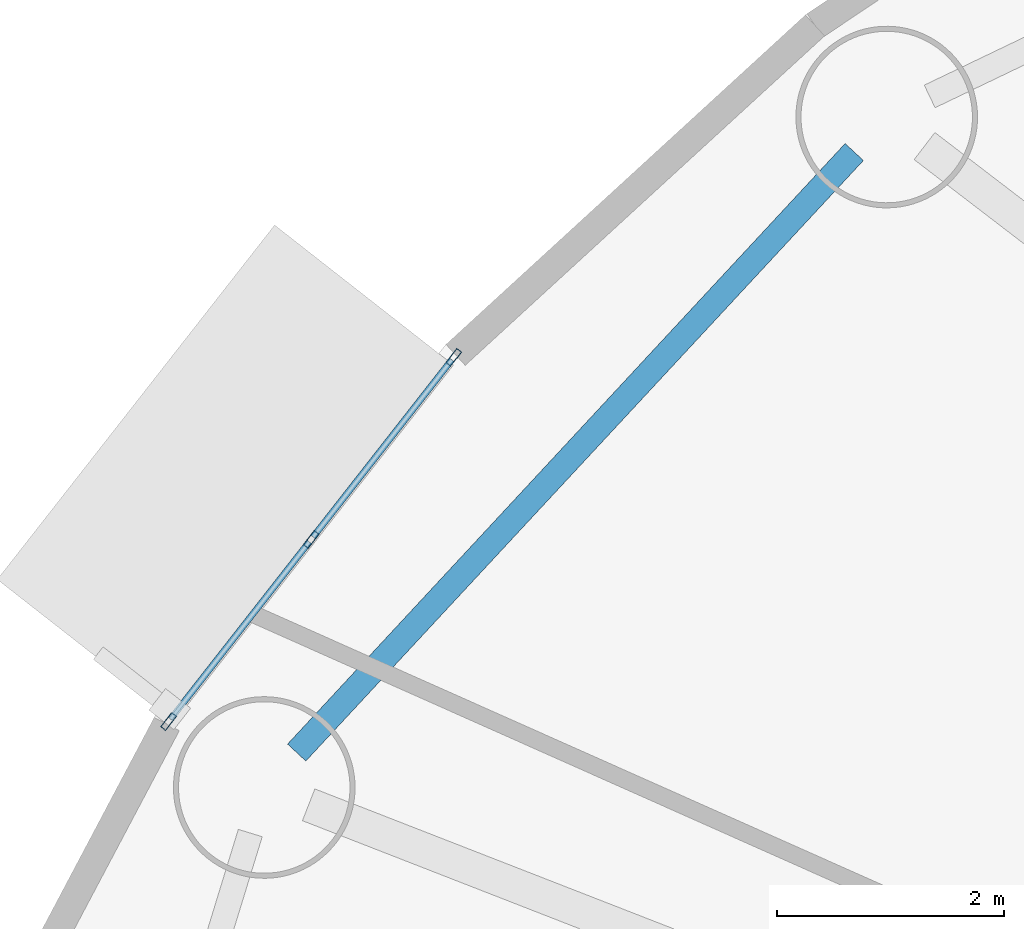
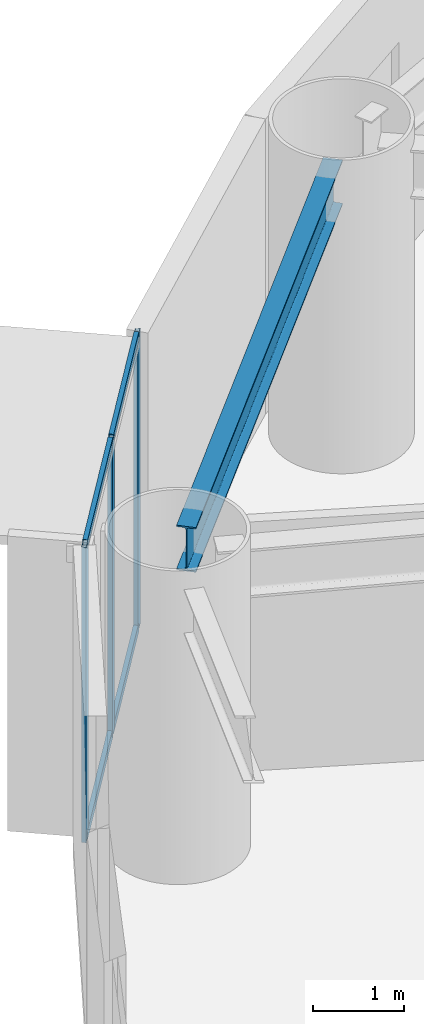
# One storey, part 10 of 28: 7 members, 1 beam, 1 element without a shape of its own.
"""IFC4 building model written with IfcOpenShell, lengths in metres."""

from ifc_helpers import new_model, si_unit, direction, frame, origin, origin_2d, place, context, subcontext, project, spatial, hollow_rectangle, i_section, extrude, source, transform, mapped, material, layer, layer_set, material_profile, profile_set, type_object, element, aggregate, save


model = new_model("IFC4")

# Units and contexts
model_context = context("Model", 3, precision=1e-05, world=origin(), true_north=direction((0.0, 1.0)))
body_context = subcontext(model_context, "Body", "Model", "MODEL_VIEW")
ifc_project = project(units=[si_unit("LENGTHUNIT", "METRE"), si_unit("AREAUNIT", "SQUARE_METRE"), si_unit("VOLUMEUNIT", "CUBIC_METRE"), si_unit("PLANEANGLEUNIT", "RADIAN"), si_unit("MASSUNIT", "GRAM", prefix="KILO")], contexts=[model_context])

# Site, building, storey
site_placement = place(None, origin())
site = spatial("IfcSite", under=ifc_project, at=site_placement, CompositionType="ELEMENT")
building_placement = place(site_placement, origin())
building = spatial("IfcBuilding", under=site, at=building_placement, Name="Linh Dai School and Residence Tower", CompositionType="ELEMENT")
storey_placement = place(building_placement, frame((0.0, 0.0, 57.60009765625)))
storey = spatial("IfcBuildingStorey", under=building, at=storey_placement, Name="L13", CompositionType="ELEMENT", Elevation=57.60009765625)

# Beam
ifc_material_1 = material(Name="Structural Steel S355JR", Category="steel")
ifc_material_profile_1 = material_profile(ifc_material_1, i_section(OverallWidth=0.219970703125, OverallDepth=0.60009765625, WebThickness=0.011962890625, FlangeThickness=0.01904296875, FilletRadius=0.02392578125, at=origin_2d()), Name="IPE 600")
ifc_profile_set_1 = profile_set([ifc_material_profile_1], Name="Structural Steel S355JR")
beam_type = type_object("IfcBeamType", Name="BM-RB60", PredefinedType="BEAM", material=ifc_profile_set_1)
beam_placement = place(storey_placement, frame((14.361572265625, 43.061279296875, 3.64990234375), z_axis=(-0.680408287194, -0.732833243458, 0.0), x_axis=(0.732833243458, -0.680408287194, 0.0)))
element("IfcBeam", 1, at=beam_placement, inside=storey, type_object=beam_type, Name="L13 Perimeter Elliptical Ring Beam 07", PredefinedType="BEAM", context=body_context, shape_type="SweptSolid", body=[
    extrude(i_section(OverallWidth=0.219970703125, OverallDepth=0.60009765625, WebThickness=0.011962890625, FlangeThickness=0.01904296875, FilletRadius=0.02392578125, at=origin_2d()), origin(), (0.0, 0.0, 1.0), 7.21826171875),
])

# Curtain wall, members
ifc_material_2 = material(Name="Aluminium Anodised Curtain Wall", Category="aluminium")
ifc_layer = layer(ifc_material_2, 0.159912109375)
ifc_layer_set = layer_set([ifc_layer], Name="Aluminium Anodised Curtain Wall")
curtain_wall_type = type_object("IfcCurtainWallType", Name="CW-SYS-3", PredefinedType="USERDEFINED", material=ifc_layer_set)
curtain_wall_placement = place(storey_placement, origin())
curtain_wall = element("IfcCurtainWall", 2, at=curtain_wall_placement, inside=storey, type_object=curtain_wall_type, Name="L13 CW3 Curtain Wall 17", ObjectType="RIBBON CURTAIN WALL", PredefinedType="USERDEFINED")
ifc_material_3 = material(Name="Aluminium Alloy 6063-T6", Category="aluminium")
ifc_material_profile_2 = material_profile(ifc_material_3, hollow_rectangle(XDim=0.054931640625, YDim=0.1201171875, WallThickness=0.00390625, at=origin_2d()), Name="RHS 120x55x4")
ifc_profile_set_2 = profile_set([ifc_material_profile_2], Name="Aluminium Alloy 6063-T6")
member_type_1 = type_object("IfcMemberType", Name="CW-SYS-3-TRN", PredefinedType="USERDEFINED", material=ifc_profile_set_2)
shared_shape_1 = source(origin(), body_context, "Body", "SweptSolid", [
    extrude(hollow_rectangle(XDim=0.054931640625, YDim=0.1201171875, WallThickness=0.00390625, at=origin_2d()), origin(), (0.0, 0.0, 1.0), 1.98193359375),
])
member_1_placement = place(storey_placement, frame((8.33935546875, 38.066162109375, 0.02734375), z_axis=(0.616291654008, 0.787517998016, 0.0), x_axis=(-0.787517998016, 0.616291654008, 0.0)))
member_1 = element("IfcMember", 3, at=member_1_placement, type_object=member_type_1, Name="CW3 transom 1.1", ObjectType="TRANSOM", PredefinedType="USERDEFINED", context=body_context, shape_type="MappedRepresentation", body=[
    mapped(shared_shape_1, transform((0.0, 0.0, 0.0), x_axis=(1.0, 0.0, 0.0), y_axis=(0.0, 1.0, 0.0), z_axis=(0.0, 0.0, 1.0), scale=1.0)),
])
member_2_placement = place(storey_placement, frame((8.33935546875, 38.066162109375, 3.92236328125), z_axis=(0.616291654008, 0.787517998016, 0.0), x_axis=(-0.787517998016, 0.616291654008, 0.0)))
member_2 = element("IfcMember", 4, at=member_2_placement, type_object=member_type_1, Name="CW3 transom 1.2", ObjectType="TRANSOM", PredefinedType="USERDEFINED", context=body_context, shape_type="MappedRepresentation", body=[
    mapped(shared_shape_1, transform((0.0, 0.0, 0.0), x_axis=(1.0, 0.0, 0.0), y_axis=(0.0, 1.0, 0.0), z_axis=(0.0, 0.0, 1.0), scale=1.0)),
])
shared_shape_2 = source(origin(), body_context, "Body", "SweptSolid", [
    extrude(hollow_rectangle(XDim=0.054931640625, YDim=0.1201171875, WallThickness=0.00390625, at=origin_2d()), origin(), (0.0, 0.0, 1.0), 1.982177734375),
])
member_3_placement = place(storey_placement, frame((9.5947265625, 39.67041015625, 0.02734375), z_axis=(0.616368042389, 0.787458212429, 0.0), x_axis=(-0.787458212429, 0.616368042389, 0.0)))
member_3 = element("IfcMember", 5, at=member_3_placement, type_object=member_type_1, Name="CW3 transom 2.1", ObjectType="TRANSOM", PredefinedType="USERDEFINED", context=body_context, shape_type="MappedRepresentation", body=[
    mapped(shared_shape_2, transform((0.0, 0.0, 0.0), x_axis=(1.0, 0.0, 0.0), y_axis=(0.0, 1.0, 0.0), z_axis=(0.0, 0.0, 1.0), scale=1.0)),
])
member_4_placement = place(storey_placement, frame((9.5947265625, 39.67041015625, 3.92236328125), z_axis=(0.616368042389, 0.787458212429, 0.0), x_axis=(-0.787458212429, 0.616368042389, 0.0)))
member_4 = element("IfcMember", 6, at=member_4_placement, type_object=member_type_1, Name="CW3 transom 2.2", ObjectType="TRANSOM", PredefinedType="USERDEFINED", context=body_context, shape_type="MappedRepresentation", body=[
    mapped(shared_shape_2, transform((0.0, 0.0, 0.0), x_axis=(1.0, 0.0, 0.0), y_axis=(0.0, 1.0, 0.0), z_axis=(0.0, 0.0, 1.0), scale=1.0)),
])
ifc_material_profile_3 = material_profile(ifc_material_3, hollow_rectangle(XDim=0.054931640625, YDim=0.159912109375, WallThickness=0.00390625, at=origin_2d()), Name="RHS 160x55x4")
ifc_profile_set_3 = profile_set([ifc_material_profile_3], Name="Aluminium Alloy 6063-T6")
member_type_2 = type_object("IfcMemberType", Name="CW-SYS-3-MUL", PredefinedType="MULLION", material=ifc_profile_set_3)
shared_shape_3 = source(origin(), body_context, "Body", "SweptSolid", [
    extrude(hollow_rectangle(XDim=0.054931640625, YDim=0.159912109375, WallThickness=0.00390625, at=origin_2d()), origin(), (0.0, 0.0, 1.0), 3.949951171875),
])
member_5_placement = place(storey_placement, frame((8.322265625, 38.04443359375, 0.0), z_axis=(0.0, 0.0, 1.0), x_axis=(-0.787496262172, 0.616319427785, 0.0)))
member_5 = element("IfcMember", 7, at=member_5_placement, type_object=member_type_2, Name="CW3 mullion 1", PredefinedType="MULLION", context=body_context, shape_type="MappedRepresentation", body=[
    mapped(shared_shape_3, transform((0.0, 0.0, 0.0), x_axis=(1.0, 0.0, 0.0), y_axis=(0.0, 1.0, 0.0), z_axis=(0.0, 0.0, 1.0), scale=1.0)),
])
member_6_placement = place(storey_placement, frame((9.577880859375, 39.648681640625, 0.0), z_axis=(0.0, 0.0, 1.0), x_axis=(-0.787496262172, 0.616319427785, 0.0)))
member_6 = element("IfcMember", 8, at=member_6_placement, type_object=member_type_2, Name="CW3 mullion 2", PredefinedType="MULLION", context=body_context, shape_type="MappedRepresentation", body=[
    mapped(shared_shape_3, transform((0.0, 0.0, 0.0), x_axis=(1.0, 0.0, 0.0), y_axis=(0.0, 1.0, 0.0), z_axis=(0.0, 0.0, 1.0), scale=1.0)),
])
member_7_placement = place(storey_placement, frame((10.833251953125, 41.2529296875, 0.0), z_axis=(0.0, 0.0, 1.0), x_axis=(-0.787496262172, 0.616319427785, 0.0)))
member_7 = element("IfcMember", 9, at=member_7_placement, type_object=member_type_2, Name="CW3 mullion 3", PredefinedType="MULLION", context=body_context, shape_type="MappedRepresentation", body=[
    mapped(shared_shape_3, transform((0.0, 0.0, 0.0), x_axis=(1.0, 0.0, 0.0), y_axis=(0.0, 1.0, 0.0), z_axis=(0.0, 0.0, 1.0), scale=1.0)),
])
aggregate(curtain_wall, [member_5, member_6, member_7, member_1, member_2, member_3, member_4])

save(model, "model.ifc")
